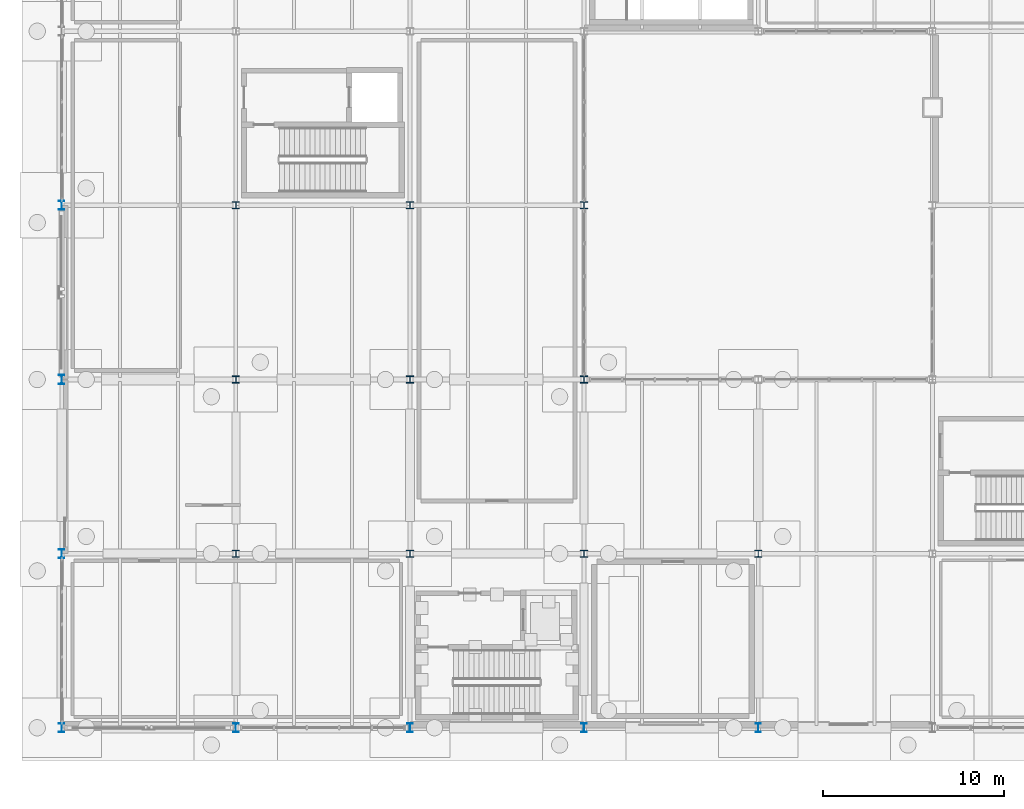
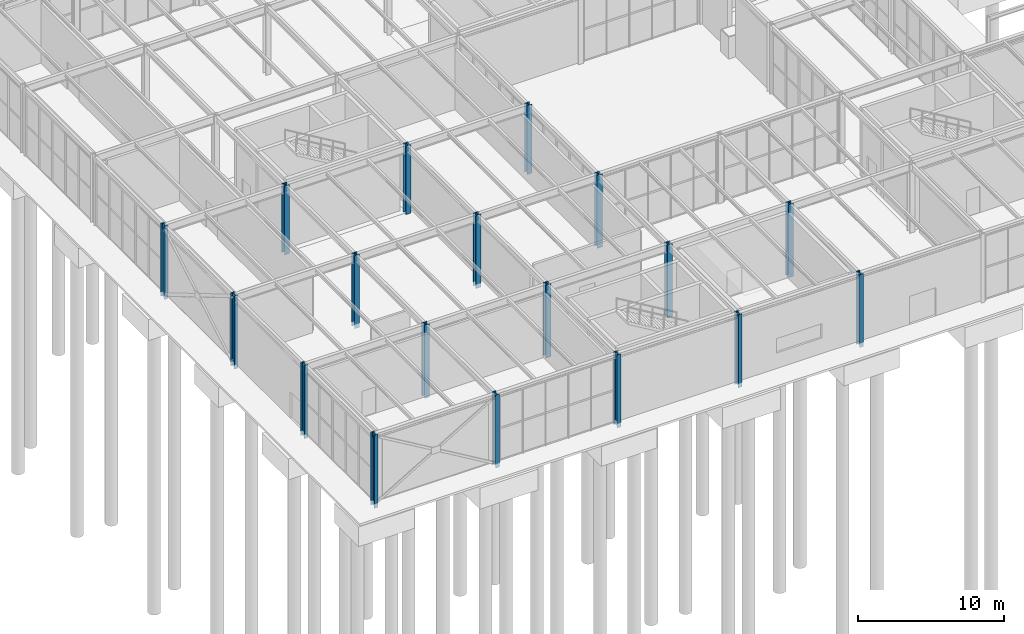
# One storey, part 6 of 142: 18 columns.
"""IFC4 building model written with IfcOpenShell, lengths in metres."""

from ifc_helpers import new_model, si_unit, direction, frame, origin, origin_2d, place, context, subcontext, project, spatial, i_section, extrude, material, material_profile, profile_set, type_object, element, save


model = new_model("IFC4")

# Units and contexts
model_context = context("Model", 3, precision=1e-05, world=origin(), true_north=direction((0.0, 1.0)))
body_context = subcontext(model_context, "Body", "Model", "MODEL_VIEW")
ifc_project = project(units=[si_unit("LENGTHUNIT", "METRE"), si_unit("AREAUNIT", "SQUARE_METRE"), si_unit("VOLUMEUNIT", "CUBIC_METRE"), si_unit("PLANEANGLEUNIT", "RADIAN"), si_unit("MASSUNIT", "GRAM", prefix="KILO")], contexts=[model_context])

# Site, building, storey
site_placement = place(None, origin())
site = spatial("IfcSite", under=ifc_project, at=site_placement, CompositionType="ELEMENT")
building_placement = place(site_placement, origin())
building = spatial("IfcBuilding", under=site, at=building_placement, Name="Coralgate Yard Interchange", CompositionType="ELEMENT")
storey_placement = place(building_placement, origin())
storey = spatial("IfcBuildingStorey", under=building, at=storey_placement, Name="L00", CompositionType="ELEMENT", Elevation=0.0)

# Columns
ifc_material = material(Name="Structural steel S355J2", Category="steel")
ifc_material_profile_1 = material_profile(ifc_material, i_section(OverallWidth=0.39892578125, OverallDepth=0.3935546875, WebThickness=0.022705078125, FlangeThickness=0.03662109375, FilletRadius=0.01513671875, at=origin_2d()), Name="UC 356x406x287")
ifc_profile_set_1 = profile_set([ifc_material_profile_1], Name="Structural steel S355J2")
column_type_1 = type_object("IfcColumnType", Name="COL-SC-1", PredefinedType="COLUMN", material=ifc_profile_set_1)
for number, where, z_axis, x_axis, name in (
    (1, (9.60009765625, 9.60009765625, -0.360107421875), (0.0, 0.0, 1.0), (1.0, 0.0, 0.0), "L00 structural column 1-1"),
    (2, (9.60009765625, 19.199951171875, -0.360107421875), (0.0, 0.0, 1.0), (1.0, 0.0, 0.0), "L00 structural column 1-2"),
):
    element("IfcColumn", number, at=place(storey_placement, frame(where, z_axis=z_axis, x_axis=x_axis)), inside=storey, type_object=column_type_1, Name=name, PredefinedType="COLUMN", context=body_context, shape_type="SweptSolid", body=[
        extrude(i_section(OverallWidth=0.39892578125, OverallDepth=0.3935546875, WebThickness=0.022705078125, FlangeThickness=0.03662109375, FilletRadius=0.01513671875, at=origin_2d()), origin(), (0.0, 0.0, 1.0), 6.110107421875),
    ])
column_1_placement = place(storey_placement, frame((9.60009765625, 28.800048828125, 0.0), z_axis=(0.0, 0.0, 1.0), x_axis=(1.0, 0.0, 0.0)))
element("IfcColumn", 3, at=column_1_placement, inside=storey, type_object=column_type_1, Name="L00 structural column 1-3", PredefinedType="COLUMN", context=body_context, shape_type="SweptSolid", body=[
    extrude(i_section(OverallWidth=0.39892578125, OverallDepth=0.3935546875, WebThickness=0.022705078125, FlangeThickness=0.03662109375, FilletRadius=0.01513671875, at=origin_2d()), origin(), (0.0, 0.0, 1.0), 5.75),
])
for number, where, z_axis, x_axis, name in (
    (4, (19.199951171875, 9.60009765625, -0.360107421875), (0.0, 0.0, 1.0), (1.0, 0.0, 0.0), "L00 structural column 2-1"),
    (5, (19.199951171875, 19.199951171875, -0.360107421875), (0.0, 0.0, 1.0), (1.0, 0.0, 0.0), "L00 structural column 2-2"),
):
    element("IfcColumn", number, at=place(storey_placement, frame(where, z_axis=z_axis, x_axis=x_axis)), inside=storey, type_object=column_type_1, Name=name, PredefinedType="COLUMN", context=body_context, shape_type="SweptSolid", body=[
        extrude(i_section(OverallWidth=0.39892578125, OverallDepth=0.3935546875, WebThickness=0.022705078125, FlangeThickness=0.03662109375, FilletRadius=0.01513671875, at=origin_2d()), origin(), (0.0, 0.0, 1.0), 6.110107421875),
    ])
column_2_placement = place(storey_placement, frame((19.199951171875, 28.800048828125, 0.0), z_axis=(0.0, 0.0, 1.0), x_axis=(1.0, 0.0, 0.0)))
element("IfcColumn", 6, at=column_2_placement, inside=storey, type_object=column_type_1, Name="L00 structural column 2-3", PredefinedType="COLUMN", context=body_context, shape_type="SweptSolid", body=[
    extrude(i_section(OverallWidth=0.39892578125, OverallDepth=0.3935546875, WebThickness=0.022705078125, FlangeThickness=0.03662109375, FilletRadius=0.01513671875, at=origin_2d()), origin(), (0.0, 0.0, 1.0), 5.75),
])
for number, where, z_axis, x_axis, name in (
    (7, (28.800048828125, 9.60009765625, -0.360107421875), (0.0, 0.0, 1.0), (1.0, 0.0, 0.0), "L00 structural column 3-1"),
    (8, (28.800048828125, 19.199951171875, -0.360107421875), (0.0, 0.0, 1.0), (1.0, 0.0, 0.0), "L00 structural column 3-2"),
):
    element("IfcColumn", number, at=place(storey_placement, frame(where, z_axis=z_axis, x_axis=x_axis)), inside=storey, type_object=column_type_1, Name=name, PredefinedType="COLUMN", context=body_context, shape_type="SweptSolid", body=[
        extrude(i_section(OverallWidth=0.39892578125, OverallDepth=0.3935546875, WebThickness=0.022705078125, FlangeThickness=0.03662109375, FilletRadius=0.01513671875, at=origin_2d()), origin(), (0.0, 0.0, 1.0), 6.110107421875),
    ])
column_3_placement = place(storey_placement, frame((28.800048828125, 28.800048828125, 0.0), z_axis=(0.0, 0.0, 1.0), x_axis=(1.0, 0.0, 0.0)))
element("IfcColumn", 9, at=column_3_placement, inside=storey, type_object=column_type_1, Name="L00 structural column 3-3", PredefinedType="COLUMN", context=body_context, shape_type="SweptSolid", body=[
    extrude(i_section(OverallWidth=0.39892578125, OverallDepth=0.3935546875, WebThickness=0.022705078125, FlangeThickness=0.03662109375, FilletRadius=0.01513671875, at=origin_2d()), origin(), (0.0, 0.0, 1.0), 5.75),
])
column_4_placement = place(storey_placement, frame((38.39990234375, 9.60009765625, -0.360107421875), z_axis=(0.0, 0.0, 1.0), x_axis=(1.0, 0.0, 0.0)))
element("IfcColumn", 10, at=column_4_placement, inside=storey, type_object=column_type_1, Name="L00 structural column 4-1", PredefinedType="COLUMN", context=body_context, shape_type="SweptSolid", body=[
    extrude(i_section(OverallWidth=0.39892578125, OverallDepth=0.3935546875, WebThickness=0.022705078125, FlangeThickness=0.03662109375, FilletRadius=0.01513671875, at=origin_2d()), origin(), (0.0, 0.0, 1.0), 6.110107421875),
])
ifc_material_profile_2 = material_profile(ifc_material, i_section(OverallWidth=0.300048828125, OverallDepth=0.5, WebThickness=0.014404296875, FlangeThickness=0.028076171875, FilletRadius=0.027099609375, at=origin_2d()), Name="HEB 500")
ifc_profile_set_2 = profile_set([ifc_material_profile_2], Name="Structural steel S355J2")
column_type_2 = type_object("IfcColumnType", Name="COL-SC-10", PredefinedType="COLUMN", material=ifc_profile_set_2)
for number, where, z_axis, x_axis, name in (
    (11, (0.0, 0.0, -0.360107421875), (0.0, 0.0, 1.0), (1.0, 0.0, 0.0), "L00 structural column 0-0"),
    (12, (0.0, 9.60009765625, -0.360107421875), (0.0, 0.0, 1.0), (1.0, 0.0, 0.0), "L00 structural column 0-1"),
    (13, (0.0, 19.199951171875, -0.360107421875), (0.0, 0.0, 1.0), (1.0, 0.0, 0.0), "L00 structural column 0-2"),
    (14, (0.0, 28.800048828125, -0.360107421875), (0.0, 0.0, 1.0), (1.0, 0.0, 0.0), "L00 structural column 0-3"),
    (15, (9.60009765625, 0.0, -0.360107421875), (0.0, 0.0, 1.0), (1.0, 0.0, 0.0), "L00 structural column 1-0"),
    (16, (19.199951171875, 0.0, -0.360107421875), (0.0, 0.0, 1.0), (1.0, 0.0, 0.0), "L00 structural column 2-0"),
    (17, (28.800048828125, 0.0, -0.360107421875), (0.0, 0.0, 1.0), (1.0, 0.0, 0.0), "L00 structural column 3-0"),
    (18, (38.39990234375, 0.0, -0.360107421875), (0.0, 0.0, 1.0), (1.0, 0.0, 0.0), "L00 structural column 4-0"),
):
    element("IfcColumn", number, at=place(storey_placement, frame(where, z_axis=z_axis, x_axis=x_axis)), inside=storey, type_object=column_type_2, Name=name, PredefinedType="COLUMN", context=body_context, shape_type="SweptSolid", body=[
        extrude(i_section(OverallWidth=0.300048828125, OverallDepth=0.5, WebThickness=0.014404296875, FlangeThickness=0.028076171875, FilletRadius=0.027099609375, at=origin_2d()), origin(), (0.0, 0.0, 1.0), 6.110107421875),
    ])

save(model, "model.ifc")
